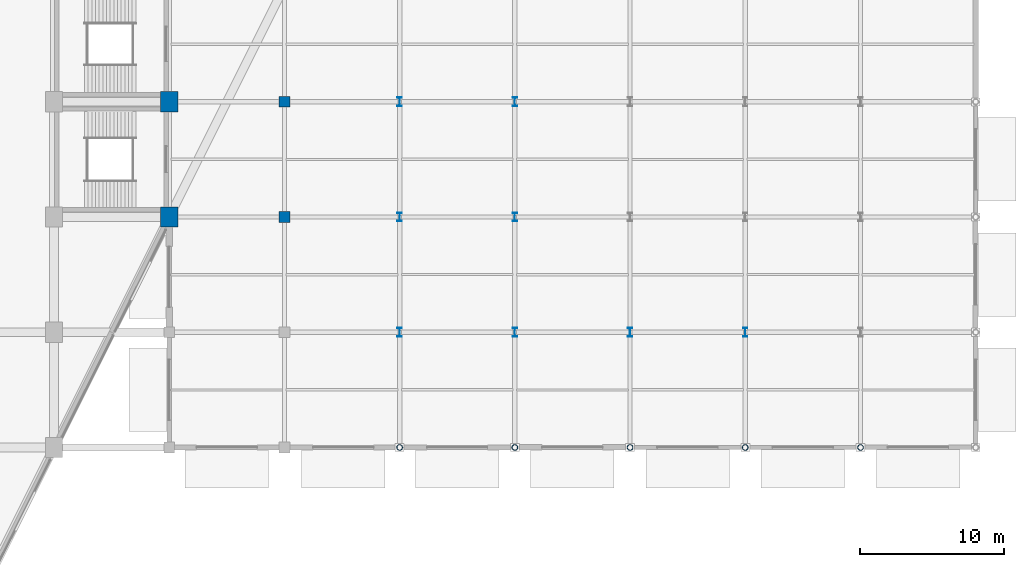
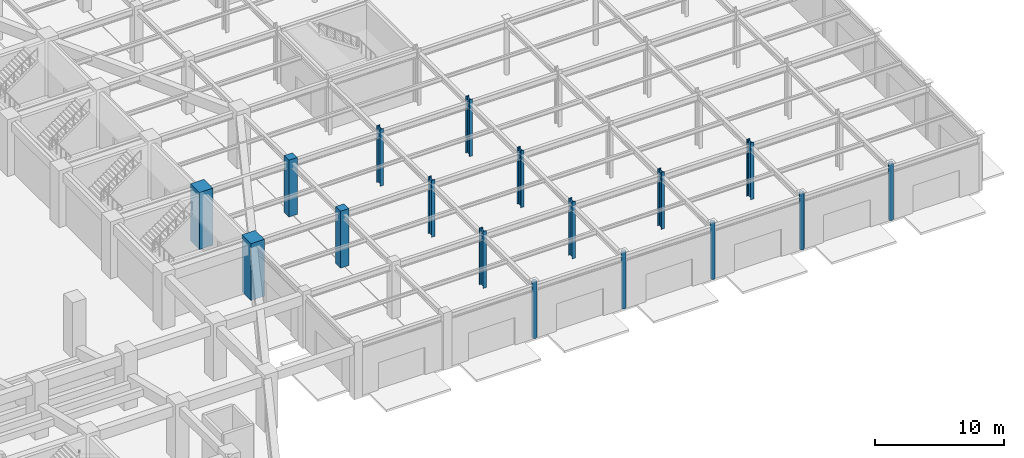
# One storey, part 3 of 39: 17 columns.
"""IFC4 building model written with IfcOpenShell, lengths in metres."""

from ifc_helpers import new_model, si_unit, direction, frame, origin, origin_2d, place, context, subcontext, project, spatial, rectangle, hollow_circle, i_section, extrude, material, material_profile, profile_set, type_object, element, save


model = new_model("IFC4")

# Units and contexts
model_context = context("Model", 3, precision=1e-05, world=origin(), true_north=direction((0.0, 1.0)))
body_context = subcontext(model_context, "Body", "Model", "MODEL_VIEW")
ifc_project = project(units=[si_unit("LENGTHUNIT", "METRE"), si_unit("AREAUNIT", "SQUARE_METRE"), si_unit("VOLUMEUNIT", "CUBIC_METRE"), si_unit("PLANEANGLEUNIT", "RADIAN"), si_unit("MASSUNIT", "GRAM", prefix="KILO")], contexts=[model_context])

# Site, building, storey
site_placement = place(None, origin())
site = spatial("IfcSite", under=ifc_project, at=site_placement, CompositionType="ELEMENT")
building_placement = place(site_placement, origin())
building = spatial("IfcBuilding", under=site, at=building_placement, Name="Tazarka Park Arena", CompositionType="ELEMENT")
storey_placement = place(building_placement, origin())
storey = spatial("IfcBuildingStorey", under=building, at=storey_placement, Name="L00", CompositionType="ELEMENT", Elevation=0.0)

# Columns
ifc_material_1 = material(Name="Concrete C40/50", Category="concrete")
ifc_material_profile_1 = material_profile(ifc_material_1, rectangle(XDim=0.75, YDim=0.75, at=origin_2d()), Name="Concrete C40/50")
ifc_profile_set_1 = profile_set([ifc_material_profile_1], Name="Concrete C40/50")
column_type_1 = type_object("IfcColumnType", Name="COL-C-02", PredefinedType="COLUMN", material=ifc_profile_set_1)
for number, where, z_axis, x_axis, name in (
    (1, (136.0, 48.0, 0.0), (0.0, 0.0, 1.0), (1.0, 0.0, 0.0), "CLM-L00-17-06"),
    (2, (136.0, 56.0, 0.0), (0.0, 0.0, 1.0), (1.0, 0.0, 0.0), "CLM-L00-17-07"),
):
    element("IfcColumn", number, at=place(storey_placement, frame(where, z_axis=z_axis, x_axis=x_axis)), inside=storey, type_object=column_type_1, Name=name, PredefinedType="COLUMN", context=body_context, shape_type="SweptSolid", body=[
        extrude(rectangle(XDim=0.75, YDim=0.75, at=origin_2d()), origin(), (0.0, 0.0, 1.0), 5.39990234375),
    ])
ifc_material_2 = material(Name="Concrete C50/60", Category="concrete")
ifc_material_profile_2 = material_profile(ifc_material_2, rectangle(XDim=1.199951171875, YDim=1.39990234375, at=origin_2d()), Name="Concrete C50/60")
ifc_profile_set_2 = profile_set([ifc_material_profile_2], Name="Concrete C50/60")
column_type_2 = type_object("IfcColumnType", Name="COL-C-05", PredefinedType="COLUMN", material=ifc_profile_set_2)
for number, where, z_axis, x_axis, name in (
    (3, (128.0, 48.0, 0.0), (0.0, 0.0, 1.0), (1.0, 0.0, 0.0), "CLM-L00-16-06"),
    (4, (128.0, 56.0, 0.0), (0.0, 0.0, 1.0), (1.0, 0.0, 0.0), "CLM-L00-16-07"),
):
    element("IfcColumn", number, at=place(storey_placement, frame(where, z_axis=z_axis, x_axis=x_axis)), inside=storey, type_object=column_type_2, Name=name, PredefinedType="COLUMN", context=body_context, shape_type="SweptSolid", body=[
        extrude(rectangle(XDim=1.199951171875, YDim=1.39990234375, at=origin_2d()), origin(), (0.0, 0.0, 1.0), 5.39990234375),
    ])
ifc_material_3 = material(Name="Steel S355", Category="steel")
ifc_material_profile_3 = material_profile(ifc_material_3, i_section(OverallWidth=0.300048828125, OverallDepth=0.60009765625, WebThickness=0.015380859375, FlangeThickness=0.030029296875, FilletRadius=0.027099609375, at=origin_2d()), Name="Steel S355")
ifc_profile_set_3 = profile_set([ifc_material_profile_3], Name="Steel S355")
column_type_3 = type_object("IfcColumnType", Name="COL-SC-03", PredefinedType="COLUMN", material=ifc_profile_set_3)
for number, where, z_axis, x_axis, name in (
    (5, (144.0, 40.0, 0.0), (0.0, 0.0, 1.0), (1.0, 0.0, 0.0), "CLM-L00-18-05"),
    (6, (144.0, 48.0, 0.0), (0.0, 0.0, 1.0), (1.0, 0.0, 0.0), "CLM-L00-18-06"),
    (7, (144.0, 56.0, 0.0), (0.0, 0.0, 1.0), (1.0, 0.0, 0.0), "CLM-L00-18-07"),
    (8, (152.0, 40.0, 0.0), (0.0, 0.0, 1.0), (1.0, 0.0, 0.0), "CLM-L00-19-05"),
    (9, (152.0, 48.0, 0.0), (0.0, 0.0, 1.0), (1.0, 0.0, 0.0), "CLM-L00-19-06"),
    (10, (152.0, 56.0, 0.0), (0.0, 0.0, 1.0), (1.0, 0.0, 0.0), "CLM-L00-19-07"),
    (11, (160.0, 40.0, 0.0), (0.0, 0.0, 1.0), (1.0, 0.0, 0.0), "CLM-L00-20-05"),
    (12, (168.0, 40.0, 0.0), (0.0, 0.0, 1.0), (1.0, 0.0, 0.0), "CLM-L00-21-05"),
):
    element("IfcColumn", number, at=place(storey_placement, frame(where, z_axis=z_axis, x_axis=x_axis)), inside=storey, type_object=column_type_3, Name=name, PredefinedType="COLUMN", context=body_context, shape_type="SweptSolid", body=[
        extrude(i_section(OverallWidth=0.300048828125, OverallDepth=0.60009765625, WebThickness=0.015380859375, FlangeThickness=0.030029296875, FilletRadius=0.027099609375, at=origin_2d()), origin(), (0.0, 0.0, 1.0), 5.39990234375),
    ])
ifc_material_4 = material(Name="Steel S355", Category="steel")
ifc_material_profile_4 = material_profile(ifc_material_4, hollow_circle(Radius=0.203125, WallThickness=0.02001953125, at=origin_2d()), Name="Steel S355")
ifc_profile_set_4 = profile_set([ifc_material_profile_4], Name="Steel S355")
column_type_4 = type_object("IfcColumnType", Name="COL-SC-04", PredefinedType="COLUMN", material=ifc_profile_set_4)
for number, where, z_axis, x_axis, name in (
    (13, (144.0, 32.0, 0.0), (0.0, 0.0, 1.0), (1.0, 0.0, 0.0), "CLM-L00-18-04"),
    (14, (152.0, 32.0, 0.0), (0.0, 0.0, 1.0), (1.0, 0.0, 0.0), "CLM-L00-19-04"),
    (15, (160.0, 32.0, 0.0), (0.0, 0.0, 1.0), (1.0, 0.0, 0.0), "CLM-L00-20-04"),
    (16, (168.0, 32.0, 0.0), (0.0, 0.0, 1.0), (1.0, 0.0, 0.0), "CLM-L00-21-04"),
    (17, (176.0, 32.0, 0.0), (0.0, 0.0, 1.0), (1.0, 0.0, 0.0), "CLM-L00-22-04"),
):
    element("IfcColumn", number, at=place(storey_placement, frame(where, z_axis=z_axis, x_axis=x_axis)), inside=storey, type_object=column_type_4, Name=name, PredefinedType="COLUMN", context=body_context, shape_type="SweptSolid", body=[
        extrude(hollow_circle(Radius=0.203125, WallThickness=0.02001953125, at=origin_2d()), origin(), (0.0, 0.0, 1.0), 5.39990234375),
    ])

save(model, "model.ifc")
